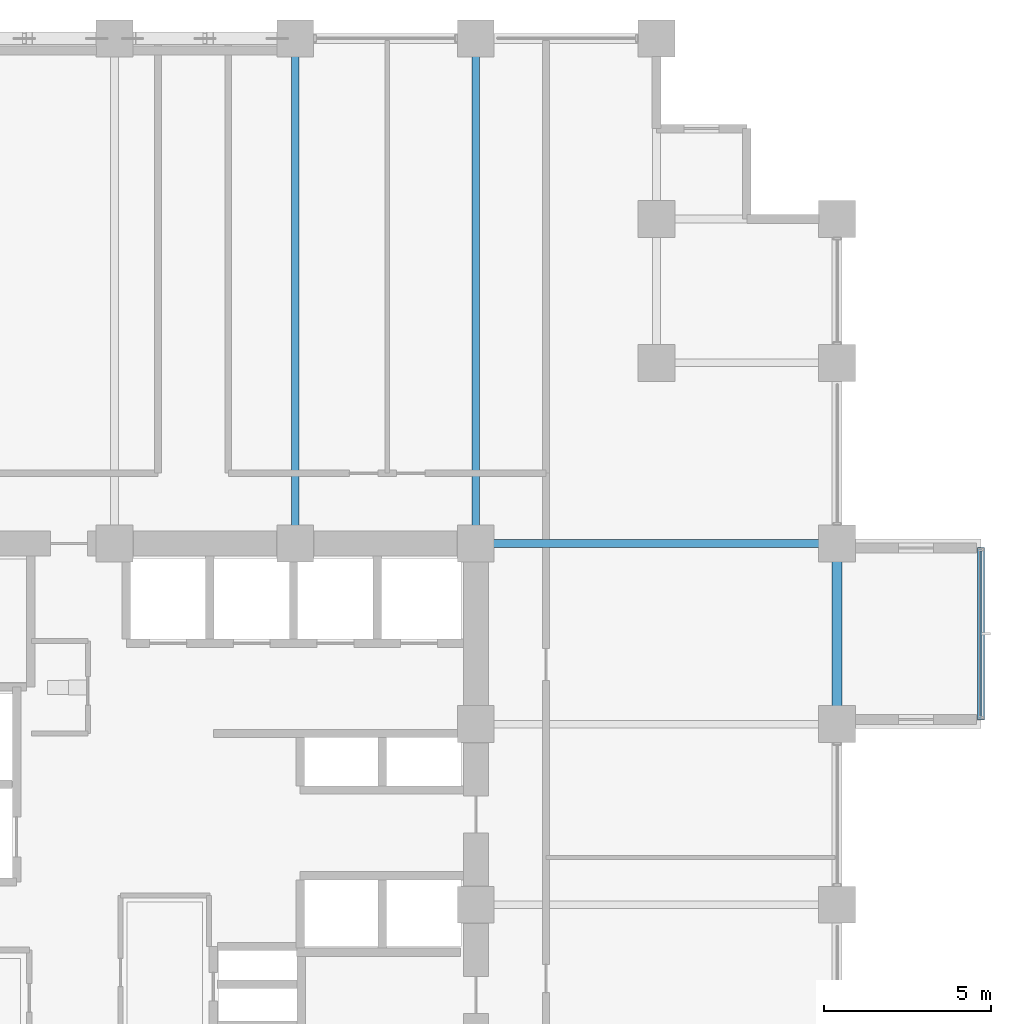
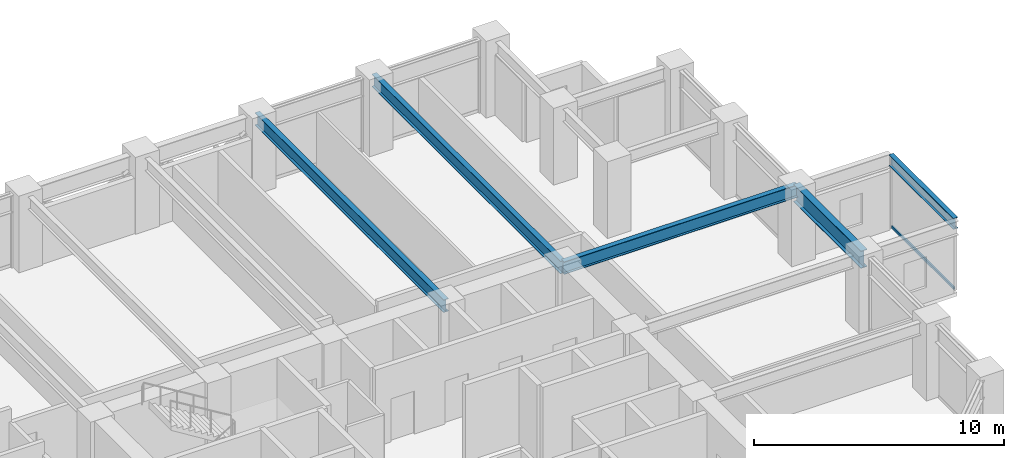
# One storey, part 16 of 29: 5 beams, 2 members, 1 element without a shape of its own.
"""IFC4 building model written with IfcOpenShell, lengths in metres."""

from ifc_helpers import new_model, si_unit, direction, frame, origin, origin_2d, place, context, subcontext, project, spatial, hollow_rectangle, i_section, extrude, material, layer, layer_set, material_profile, profile_set, type_object, element, aggregate, save


model = new_model("IFC4")

# Units and contexts
model_context = context("Model", 3, precision=1e-05, world=origin(), true_north=direction((0.0, 1.0)))
body_context = subcontext(model_context, "Body", "Model", "MODEL_VIEW")
ifc_project = project(units=[si_unit("LENGTHUNIT", "METRE"), si_unit("AREAUNIT", "SQUARE_METRE"), si_unit("VOLUMEUNIT", "CUBIC_METRE"), si_unit("PLANEANGLEUNIT", "RADIAN"), si_unit("MASSUNIT", "GRAM", prefix="KILO")], contexts=[model_context])

# Site, building, storey
site_placement = place(None, origin())
site = spatial("IfcSite", under=ifc_project, at=site_placement, CompositionType="ELEMENT")
building_placement = place(site_placement, origin())
building = spatial("IfcBuilding", under=site, at=building_placement, Name="Surkhivell Harbour Commons", CompositionType="ELEMENT")
storey_placement = place(building_placement, frame((0.0, 0.0, 87.0)))
storey = spatial("IfcBuildingStorey", under=building, at=storey_placement, Name="L22", CompositionType="ELEMENT", Elevation=87.0)

# Beams
ifc_material_1 = material(Name="Steel S355", Category="steel")
ifc_material_profile_1 = material_profile(ifc_material_1, i_section(OverallWidth=0.2099609375, OverallDepth=0.537109375, WebThickness=0.0107421875, FlangeThickness=0.017333984375, at=origin_2d()), Name="UB533x210x101")
ifc_profile_set_1 = profile_set([ifc_material_profile_1], Name="Steel S355")
beam_type_1 = type_object("IfcBeamType", Name="BM-GRD-533B", PredefinedType="BEAM", material=ifc_profile_set_1)
beam_1_placement = place(storey_placement, frame((25.89990234375, 5.52197265625, 3.301513671875), z_axis=(0.0, 1.0, 0.0), x_axis=(-1.0, 0.0, 0.0)))
element("IfcBeam", 1, at=beam_1_placement, inside=storey, type_object=beam_type_1, Name="L22 Box Rim Spandrel (25.9,5.4)", PredefinedType="BEAM", context=body_context, shape_type="SweptSolid", body=[
    extrude(i_section(OverallWidth=0.2099609375, OverallDepth=0.537109375, WebThickness=0.0107421875, FlangeThickness=0.017333984375, at=origin_2d()), origin(), (0.0, 0.0, 1.0), 5.156005859375),
])
ifc_material_profile_2 = material_profile(ifc_material_1, i_section(OverallWidth=0.22998046875, OverallDepth=0.616943359375, WebThickness=0.01318359375, FlangeThickness=0.022216796875, at=origin_2d()), Name="UB610x229x140")
ifc_profile_set_2 = profile_set([ifc_material_profile_2], Name="Steel S355")
beam_type_2 = type_object("IfcBeamType", Name="BM-GRD-610B", PredefinedType="BEAM", material=ifc_profile_set_2)
beam_2_placement = place(storey_placement, frame((10.800048828125, 10.800048828125, 3.261474609375), z_axis=(1.0, 0.0, 0.0), x_axis=(0.0, 1.0, 0.0)))
element("IfcBeam", 2, at=beam_2_placement, inside=storey, type_object=beam_type_2, Name="L22 Cantilever Back-Span Girder (10.8,10.8)", PredefinedType="BEAM", context=body_context, shape_type="SweptSolid", body=[
    extrude(i_section(OverallWidth=0.22998046875, OverallDepth=0.616943359375, WebThickness=0.01318359375, FlangeThickness=0.022216796875, at=origin_2d()), origin(), (0.0, 0.0, 1.0), 10.800048828125),
])
for number, where, z_axis, x_axis, name in (
    (3, (5.39990234375, 10.800048828125, 3.261474609375), (0.0, 1.0, 0.0), (-1.0, 0.0, 0.0), "L22 Floor Girder (5.4,10.8)"),
    (4, (10.800048828125, 10.800048828125, 3.261474609375), (0.0, 1.0, 0.0), (-1.0, 0.0, 0.0), "L22 Floor Girder (10.8,10.8)"),
):
    element("IfcBeam", number, at=place(storey_placement, frame(where, z_axis=z_axis, x_axis=x_axis)), inside=storey, type_object=beam_type_2, Name=name, PredefinedType="BEAM", context=body_context, shape_type="SweptSolid", body=[
        extrude(i_section(OverallWidth=0.22998046875, OverallDepth=0.616943359375, WebThickness=0.01318359375, FlangeThickness=0.022216796875, at=origin_2d()), origin(), (0.0, 0.0, 1.0), 15.099853515625),
    ])
ifc_material_2 = material(Name="Steel S460", Category="steel")
ifc_material_profile_3 = material_profile(ifc_material_2, i_section(OverallWidth=0.2939453125, OverallDepth=0.85107421875, WebThickness=0.01611328125, FlangeThickness=0.02685546875, at=origin_2d()), Name="UB838x292x226")
ifc_profile_set_3 = profile_set([ifc_material_profile_3], Name="Steel S460")
beam_type_3 = type_object("IfcBeamType", Name="BM-SPN-838", PredefinedType="SPANDREL", material=ifc_profile_set_3)
beam_3_placement = place(storey_placement, frame((21.60009765625, 5.39990234375, 3.14453125), z_axis=(0.0, 1.0, 0.0), x_axis=(-1.0, 0.0, 0.0)))
element("IfcBeam", 5, at=beam_3_placement, inside=storey, type_object=beam_type_3, Name="L22 Tube Spandrel (21.6,5.4)", PredefinedType="SPANDREL", context=body_context, shape_type="SweptSolid", body=[
    extrude(i_section(OverallWidth=0.2939453125, OverallDepth=0.85107421875, WebThickness=0.01611328125, FlangeThickness=0.02685546875, at=origin_2d()), origin(), (0.0, 0.0, 1.0), 5.400146484375),
])

# Curtain wall, members
ifc_material_3 = material(Name="Anodised pale-metal aluminium and insulated glazing", Category="aluminium")
ifc_layer = layer(ifc_material_3, 0.1650390625)
ifc_layer_set = layer_set([ifc_layer], Name="Anodised pale-metal aluminium and insulated glazing")
curtain_wall_type = type_object("IfcCurtainWallType", Name="CW-SYS-BOX", PredefinedType="NOTDEFINED", material=ifc_layer_set)
curtain_wall_placement = place(storey_placement, origin())
curtain_wall = element("IfcCurtainWall", 6, at=curtain_wall_placement, inside=storey, type_object=curtain_wall_type, Name="L22 Curtain Wall CW-L22-BOX01", PredefinedType="NOTDEFINED")
ifc_material_4 = material(Name="Champagne anodised aluminium alloy 6063-T6", Category="aluminium")
ifc_material_profile_4 = material_profile(ifc_material_4, hollow_rectangle(XDim=0.070068359375, YDim=0.1298828125, WallThickness=0.00341796875, at=origin_2d()), Name="ALU-TRAN-70x130")
ifc_profile_set_4 = profile_set([ifc_material_profile_4], Name="Champagne anodised aluminium alloy 6063-T6")
member_type = type_object("IfcMemberType", Name="CWT-130", PredefinedType="USERDEFINED", material=ifc_profile_set_4)
member_1_placement = place(storey_placement, frame((25.89990234375, 5.6201171875, 0.06494140625), z_axis=(0.0, 1.0, 0.0), x_axis=(-1.0, 0.0, 0.0)))
member_1 = element("IfcMember", 7, at=member_1_placement, type_object=member_type, Name="CW-BOX transom 1.1", ObjectType="TRANSOM", PredefinedType="USERDEFINED", context=body_context, shape_type="SweptSolid", body=[
    extrude(hollow_rectangle(XDim=0.070068359375, YDim=0.1298828125, WallThickness=0.00341796875, at=origin_2d()), origin(), (0.0, 0.0, 1.0), 4.9599609375),
])
member_2_placement = place(storey_placement, frame((25.89990234375, 5.6201171875, 3.5048828125), z_axis=(0.0, 1.0, 0.0), x_axis=(-1.0, 0.0, 0.0)))
member_2 = element("IfcMember", 8, at=member_2_placement, type_object=member_type, Name="CW-BOX transom 1.2", ObjectType="TRANSOM", PredefinedType="USERDEFINED", context=body_context, shape_type="SweptSolid", body=[
    extrude(hollow_rectangle(XDim=0.070068359375, YDim=0.1298828125, WallThickness=0.00341796875, at=origin_2d()), origin(), (0.0, 0.0, 1.0), 4.9599609375),
])
aggregate(curtain_wall, [member_1, member_2])

save(model, "model.ifc")
